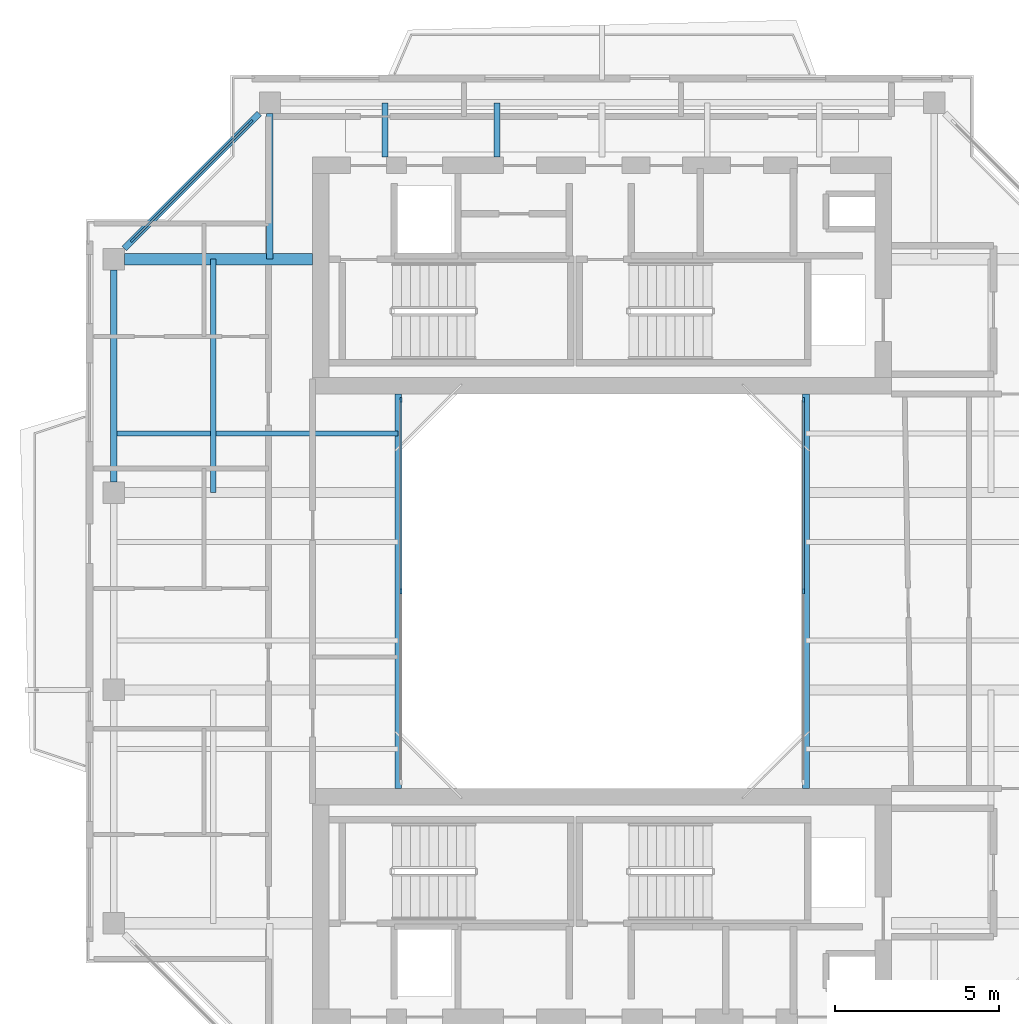
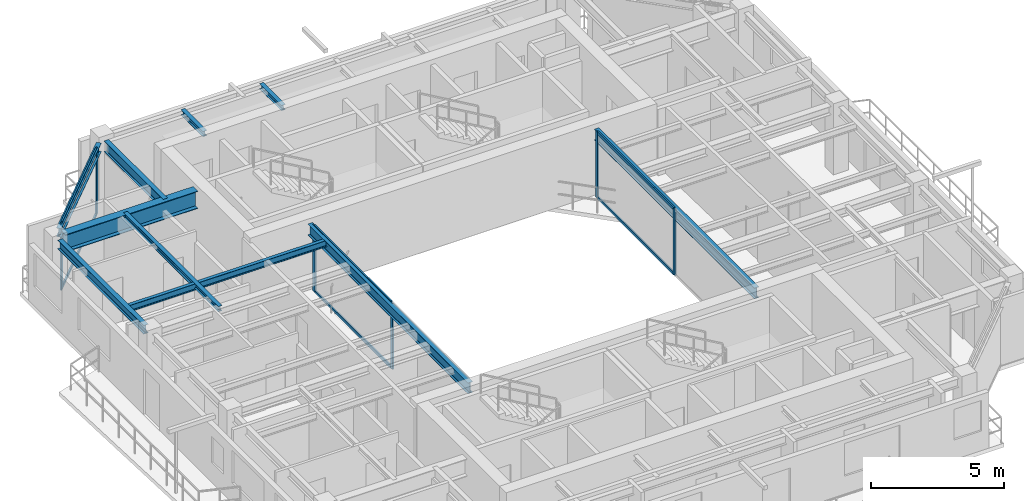
# One storey, part 5 of 14: 12 members, 10 beams, 3 elements without a shape of their own.
"""IFC4 building model written with IfcOpenShell, lengths in metres."""

from ifc_helpers import new_model, si_unit, direction, frame, origin, origin_2d, place, context, subcontext, project, spatial, rectangle, i_section, extrude, source, transform, mapped, material, layer, layer_set, material_profile, profile_set, type_object, element, aggregate, save


model = new_model("IFC4")

# Units and contexts
model_context = context("Model", 3, precision=1e-05, world=origin(), true_north=direction((0.0, 1.0)))
body_context = subcontext(model_context, "Body", "Model", "MODEL_VIEW")
ifc_project = project(units=[si_unit("LENGTHUNIT", "METRE"), si_unit("AREAUNIT", "SQUARE_METRE"), si_unit("VOLUMEUNIT", "CUBIC_METRE"), si_unit("PLANEANGLEUNIT", "RADIAN"), si_unit("MASSUNIT", "GRAM", prefix="KILO"), si_unit("THERMODYNAMICTEMPERATUREUNIT", "KELVIN"), si_unit("POWERUNIT", "WATT")], contexts=[model_context])

# Site, building, storey
site_placement = place(None, origin())
site = spatial("IfcSite", under=ifc_project, at=site_placement, CompositionType="ELEMENT")
building_placement = place(site_placement, origin())
building = spatial("IfcBuilding", under=site, at=building_placement, Name="Qiaomeng Ring Towers", CompositionType="ELEMENT")
storey_placement = place(building_placement, frame((0.0, 0.0, 260.0)))
storey = spatial("IfcBuildingStorey", under=building, at=storey_placement, Name="L76", CompositionType="ELEMENT", Elevation=260.0)

# Beams
ifc_material_1 = material(Name="Steel Q355B", Category="steel")
ifc_material_profile_1 = material_profile(ifc_material_1, i_section(OverallWidth=0.199951171875, OverallDepth=0.5, WebThickness=0.010009765625, FlangeThickness=0.01611328125, FilletRadius=0.02001953125, at=origin_2d()), Name="HN 500x200x10x16")
ifc_profile_set_1 = profile_set([ifc_material_profile_1], Name="Steel Q355B")
beam_type_1 = type_object("IfcBeamType", Name="STR-BM-HN500", PredefinedType="BEAM", material=ifc_profile_set_1)
shared_shape_1 = source(origin(), body_context, "Body", "SweptSolid", [
    extrude(i_section(OverallWidth=0.199951171875, OverallDepth=0.5, WebThickness=0.010009765625, FlangeThickness=0.01611328125, FilletRadius=0.02001953125, at=origin_2d()), origin(), (0.0, 0.0, 1.0), 12.0),
])
for number, where, z_axis, x_axis, name in (
    (1, (12.800048828125, 17.0, 2.780029296875), (0.0, 1.0, 0.0), (-1.0, 0.0, 0.0), "L76 beam STR-BM-L76-WELL-W"),
    (2, (25.199951171875, 17.0, 2.780029296875), (0.0, 1.0, 0.0), (-1.0, 0.0, 0.0), "L76 beam STR-BM-L76-WELL-E"),
):
    element("IfcBeam", number, at=place(storey_placement, frame(where, z_axis=z_axis, x_axis=x_axis)), inside=storey, type_object=beam_type_1, Name=name, PredefinedType="BEAM", context=body_context, shape_type="MappedRepresentation", body=[
        mapped(shared_shape_1, transform((0.0, 0.0, 0.0), x_axis=(1.0, 0.0, 0.0), y_axis=(0.0, 1.0, 0.0), z_axis=(0.0, 0.0, 1.0), scale=1.0)),
    ])
ifc_material_profile_2 = material_profile(ifc_material_1, i_section(OverallWidth=0.198974609375, OverallDepth=0.39599609375, WebThickness=0.007080078125, FlangeThickness=0.010986328125, FilletRadius=0.01611328125, at=origin_2d()), Name="HN 396x199x7x11")
ifc_profile_set_2 = profile_set([ifc_material_profile_2], Name="Steel Q355B")
beam_type_2 = type_object("IfcBeamType", Name="STR-BM-HN396", PredefinedType="SPANDREL", material=ifc_profile_set_2)
shared_shape_2 = source(origin(), body_context, "Body", "SweptSolid", [
    extrude(i_section(OverallWidth=0.198974609375, OverallDepth=0.39599609375, WebThickness=0.007080078125, FlangeThickness=0.010986328125, FilletRadius=0.01611328125, at=origin_2d()), origin(), (0.0, 0.0, 1.0), 5.800048828125),
])
beam_1_placement = place(storey_placement, frame((8.57568359375, 37.525634765625, 2.83203125), z_axis=(-0.707106781187, -0.707106781187, 0.0), x_axis=(0.707106781187, -0.707106781187, 0.0)))
element("IfcBeam", 3, at=beam_1_placement, inside=storey, type_object=beam_type_2, Name="L76 beam STR-SP-L76-T1-N1-W4", PredefinedType="SPANDREL", context=body_context, shape_type="MappedRepresentation", body=[
    mapped(shared_shape_2, transform((0.0, 0.0, 0.0), x_axis=(1.0, 0.0, 0.0), y_axis=(0.0, 1.0, 0.0), z_axis=(0.0, 0.0, 1.0), scale=1.0)),
])
shared_shape_3 = source(origin(), body_context, "Body", "SweptSolid", [
    extrude(i_section(OverallWidth=0.198974609375, OverallDepth=0.39599609375, WebThickness=0.007080078125, FlangeThickness=0.010986328125, FilletRadius=0.01611328125, at=origin_2d()), origin(), (0.0, 0.0, 1.0), 6.451904296875),
])
beam_2_placement = place(storey_placement, frame((4.14990234375, 32.77587890625, 2.83203125), z_axis=(0.0, -1.0, 0.0), x_axis=(1.0, 0.0, 0.0)))
element("IfcBeam", 4, at=beam_2_placement, inside=storey, type_object=beam_type_2, Name="L76 beam STR-SP-L76-T1-W4-W3", PredefinedType="SPANDREL", context=body_context, shape_type="MappedRepresentation", body=[
    mapped(shared_shape_3, transform((0.0, 0.0, 0.0), x_axis=(1.0, 0.0, 0.0), y_axis=(0.0, 1.0, 0.0), z_axis=(0.0, 0.0, 1.0), scale=1.0)),
])
ifc_material_2 = material(Name="Steel Q390GJC", Category="steel")
ifc_material_profile_3 = material_profile(ifc_material_2, i_section(OverallWidth=0.35009765625, OverallDepth=0.800048828125, WebThickness=0.01611328125, FlangeThickness=0.028076171875, at=origin_2d()), Name="WH 800x350x16x28")
ifc_profile_set_3 = profile_set([ifc_material_profile_3], Name="Steel Q390GJC")
beam_type_3 = type_object("IfcBeamType", Name="STR-BM-WH800", PredefinedType="BEAM", material=ifc_profile_set_3)
shared_shape_4 = source(origin(), body_context, "Body", "SweptSolid", [
    extrude(i_section(OverallWidth=0.35009765625, OverallDepth=0.800048828125, WebThickness=0.01611328125, FlangeThickness=0.028076171875, at=origin_2d()), origin(), (0.0, 0.0, 1.0), 5.725830078125),
])
beam_3_placement = place(storey_placement, frame((4.47412109375, 33.10009765625, 2.6298828125), z_axis=(1.0, 0.0, 0.0), x_axis=(0.0, 1.0, 0.0)))
element("IfcBeam", 5, at=beam_3_placement, inside=storey, type_object=beam_type_3, Name="L76 beam STR-BM-L76-T1-RAD-W4", PredefinedType="BEAM", context=body_context, shape_type="MappedRepresentation", body=[
    mapped(shared_shape_4, transform((0.0, 0.0, 0.0), x_axis=(1.0, 0.0, 0.0), y_axis=(0.0, 1.0, 0.0), z_axis=(0.0, 0.0, 1.0), scale=1.0)),
])
ifc_material_profile_4 = material_profile(ifc_material_1, i_section(OverallWidth=0.198974609375, OverallDepth=0.49609375, WebThickness=0.009033203125, FlangeThickness=0.013916015625, FilletRadius=0.01806640625, at=origin_2d()), Name="HN 496x199x9x14")
ifc_profile_set_4 = profile_set([ifc_material_profile_4], Name="Steel Q355B")
beam_type_4 = type_object("IfcBeamType", Name="STR-BM-HN496", PredefinedType="BEAM", material=ifc_profile_set_4)
shared_shape_5 = source(origin(), body_context, "Body", "SweptSolid", [
    extrude(i_section(OverallWidth=0.198974609375, OverallDepth=0.49609375, WebThickness=0.009033203125, FlangeThickness=0.013916015625, FilletRadius=0.01806640625, at=origin_2d()), origin(), (0.0, 0.0, 1.0), 4.42578125),
])
beam_4_placement = place(storey_placement, frame((8.89990234375, 37.52587890625, 2.781982421875), z_axis=(0.0, -1.0, 0.0), x_axis=(1.0, 0.0, 0.0)))
element("IfcBeam", 6, at=beam_4_placement, inside=storey, type_object=beam_type_4, Name="L76 beam STR-BM-L76-T1-RAD-N1", PredefinedType="BEAM", context=body_context, shape_type="MappedRepresentation", body=[
    mapped(shared_shape_5, transform((0.0, 0.0, 0.0), x_axis=(1.0, 0.0, 0.0), y_axis=(0.0, 1.0, 0.0), z_axis=(0.0, 0.0, 1.0), scale=1.0)),
])
ifc_material_profile_5 = material_profile(ifc_material_1, i_section(OverallWidth=0.175048828125, OverallDepth=0.243896484375, WebThickness=0.007080078125, FlangeThickness=0.010986328125, FilletRadius=0.01611328125, at=origin_2d()), Name="HM 244x175x7x11")
ifc_profile_set_5 = profile_set([ifc_material_profile_5], Name="Steel Q355B")
beam_type_5 = type_object("IfcBeamType", Name="STR-BM-HM244", PredefinedType="JOIST", material=ifc_profile_set_5)
shared_shape_6 = source(origin(), body_context, "Body", "SweptSolid", [
    extrude(i_section(OverallWidth=0.175048828125, OverallDepth=0.243896484375, WebThickness=0.007080078125, FlangeThickness=0.010986328125, FilletRadius=0.01611328125, at=origin_2d()), origin(), (0.0, 0.0, 1.0), 1.650146484375),
])
for number, where, z_axis, x_axis, name in (
    (7, (12.39990234375, 36.199951171875, 2.907958984375), (0.0, 1.0, 0.0), (-1.0, 0.0, 0.0), "L76 beam STR-JST-L76-T1N-1"),
    (8, (15.800048828125, 36.199951171875, 2.907958984375), (0.0, 1.0, 0.0), (-1.0, 0.0, 0.0), "L76 beam STR-JST-L76-T1N-2"),
):
    element("IfcBeam", number, at=place(storey_placement, frame(where, z_axis=z_axis, x_axis=x_axis)), inside=storey, type_object=beam_type_5, Name=name, PredefinedType="JOIST", context=body_context, shape_type="MappedRepresentation", body=[
        mapped(shared_shape_6, transform((0.0, 0.0, 0.0), x_axis=(1.0, 0.0, 0.0), y_axis=(0.0, 1.0, 0.0), z_axis=(0.0, 0.0, 1.0), scale=1.0)),
    ])
ifc_material_profile_6 = material_profile(ifc_material_1, i_section(OverallWidth=0.14990234375, OverallDepth=0.300048828125, WebThickness=0.006591796875, FlangeThickness=0.009033203125, FilletRadius=0.012939453125, at=origin_2d()), Name="HN 300x150x6.5x9")
ifc_profile_set_6 = profile_set([ifc_material_profile_6], Name="Steel Q355B")
beam_type_6 = type_object("IfcBeamType", Name="STR-BM-HN300", PredefinedType="JOIST", material=ifc_profile_set_6)
shared_shape_7 = source(origin(), body_context, "Body", "SweptSolid", [
    extrude(i_section(OverallWidth=0.14990234375, OverallDepth=0.300048828125, WebThickness=0.006591796875, FlangeThickness=0.009033203125, FilletRadius=0.012939453125, at=origin_2d()), origin(), (0.0, 0.0, 1.0), 8.650146484375),
])
beam_5_placement = place(storey_placement, frame((4.14990234375, 27.800048828125, 2.8798828125), z_axis=(1.0, 0.0, 0.0), x_axis=(0.0, 1.0, 0.0)))
element("IfcBeam", 9, at=beam_5_placement, inside=storey, type_object=beam_type_6, Name="L76 beam STR-JST-L76-T1W-4", PredefinedType="JOIST", context=body_context, shape_type="MappedRepresentation", body=[
    mapped(shared_shape_7, transform((0.0, 0.0, 0.0), x_axis=(1.0, 0.0, 0.0), y_axis=(0.0, 1.0, 0.0), z_axis=(0.0, 0.0, 1.0), scale=1.0)),
])
shared_shape_8 = source(origin(), body_context, "Body", "SweptSolid", [
    extrude(i_section(OverallWidth=0.175048828125, OverallDepth=0.243896484375, WebThickness=0.007080078125, FlangeThickness=0.010986328125, FilletRadius=0.01611328125, at=origin_2d()), origin(), (0.0, 0.0, 1.0), 7.10009765625),
])
beam_6_placement = place(storey_placement, frame((7.175048828125, 26.0, 2.907958984375), z_axis=(0.0, 1.0, 0.0), x_axis=(-1.0, 0.0, 0.0)))
element("IfcBeam", 10, at=beam_6_placement, inside=storey, type_object=beam_type_5, Name="L76 beam STR-JST-L76-T1C-WN", PredefinedType="JOIST", context=body_context, shape_type="MappedRepresentation", body=[
    mapped(shared_shape_8, transform((0.0, 0.0, 0.0), x_axis=(1.0, 0.0, 0.0), y_axis=(0.0, 1.0, 0.0), z_axis=(0.0, 0.0, 1.0), scale=1.0)),
])

# Curtain wall, members
ifc_material_3 = material(Name="Fluorocarbon dark-grey aluminium", Category="aluminium")
ifc_layer_1 = layer(ifc_material_3, 0.139892578125, Name="Fluorocarbon dark-grey aluminium")
ifc_layer_set_1 = layer_set([ifc_layer_1], Name="Fluorocarbon dark-grey aluminium")
curtain_wall_type_1 = type_object("IfcCurtainWallType", Name="ARC-CW-4", PredefinedType="NOTDEFINED", material=ifc_layer_set_1)
curtain_wall_1_placement = place(storey_placement, origin())
curtain_wall_1 = element("IfcCurtainWall", 11, at=curtain_wall_1_placement, inside=storey, type_object=curtain_wall_type_1, Name="L76 Curtain Wall CW4", PredefinedType="NOTDEFINED")
ifc_material_profile_7 = material_profile(ifc_material_3, rectangle(XDim=0.06494140625, YDim=0.1298828125, at=origin_2d()), Name="ALU TRAN 65x130")
ifc_profile_set_7 = profile_set([ifc_material_profile_7], Name="Fluorocarbon dark-grey aluminium")
member_type_1 = type_object("IfcMemberType", Name="ARC-CWT-120", PredefinedType="USERDEFINED", material=ifc_profile_set_7)
shared_shape_9 = source(origin(), body_context, "Body", "SweptSolid", [
    extrude(rectangle(XDim=0.06494140625, YDim=0.1298828125, at=origin_2d()), origin(), (0.0, 0.0, 1.0), 5.75244140625),
])
member_1_placement = place(storey_placement, frame((12.8798828125, 23.032470703125, 0.032470703125), z_axis=(0.0, 1.0, 0.0), x_axis=(-1.0, 0.0, 0.0)))
member_1 = element("IfcMember", 12, at=member_1_placement, type_object=member_type_1, Name="CW4 transom 2.1", ObjectType="TRANSOM", PredefinedType="USERDEFINED", context=body_context, shape_type="MappedRepresentation", body=[
    mapped(shared_shape_9, transform((0.0, 0.0, 0.0), x_axis=(1.0, 0.0, 0.0), y_axis=(0.0, 1.0, 0.0), z_axis=(0.0, 0.0, 1.0), scale=1.0)),
])
member_2_placement = place(storey_placement, frame((12.8798828125, 23.032470703125, 2.99755859375), z_axis=(0.0, 1.0, 0.0), x_axis=(-1.0, 0.0, 0.0)))
member_2 = element("IfcMember", 13, at=member_2_placement, type_object=member_type_1, Name="CW4 transom 2.2", ObjectType="TRANSOM", PredefinedType="USERDEFINED", context=body_context, shape_type="MappedRepresentation", body=[
    mapped(shared_shape_9, transform((0.0, 0.0, 0.0), x_axis=(1.0, 0.0, 0.0), y_axis=(0.0, 1.0, 0.0), z_axis=(0.0, 0.0, 1.0), scale=1.0)),
])

curtain_wall_2_placement = place(storey_placement, origin())
curtain_wall_2 = element("IfcCurtainWall", 14, at=curtain_wall_2_placement, inside=storey, type_object=curtain_wall_type_1, Name="L76 Curtain Wall CW4", PredefinedType="NOTDEFINED")
member_3_placement = place(storey_placement, frame((25.1201171875, 23.032470703125, 0.032470703125), z_axis=(0.0, 1.0, 0.0), x_axis=(-1.0, 0.0, 0.0)))
member_3 = element("IfcMember", 15, at=member_3_placement, type_object=member_type_1, Name="CW4 transom 2.1", ObjectType="TRANSOM", PredefinedType="USERDEFINED", context=body_context, shape_type="MappedRepresentation", body=[
    mapped(shared_shape_9, transform((0.0, 0.0, 0.0), x_axis=(1.0, 0.0, 0.0), y_axis=(0.0, 1.0, 0.0), z_axis=(0.0, 0.0, 1.0), scale=1.0)),
])
member_4_placement = place(storey_placement, frame((25.1201171875, 23.032470703125, 2.99755859375), z_axis=(0.0, 1.0, 0.0), x_axis=(-1.0, 0.0, 0.0)))
member_4 = element("IfcMember", 16, at=member_4_placement, type_object=member_type_1, Name="CW4 transom 2.2", ObjectType="TRANSOM", PredefinedType="USERDEFINED", context=body_context, shape_type="MappedRepresentation", body=[
    mapped(shared_shape_9, transform((0.0, 0.0, 0.0), x_axis=(1.0, 0.0, 0.0), y_axis=(0.0, 1.0, 0.0), z_axis=(0.0, 0.0, 1.0), scale=1.0)),
])

# Member
ifc_material_profile_8 = material_profile(ifc_material_3, rectangle(XDim=0.06494140625, YDim=0.159912109375, at=origin_2d()), Name="ALU MULL 65x160")
ifc_profile_set_8 = profile_set([ifc_material_profile_8], Name="Fluorocarbon dark-grey aluminium")
member_type_2 = type_object("IfcMemberType", Name="ARC-CWM-140", PredefinedType="MULLION", material=ifc_profile_set_8)
shared_shape_10 = source(origin(), body_context, "Body", "SweptSolid", [
    extrude(rectangle(XDim=0.06494140625, YDim=0.159912109375, at=origin_2d()), origin(), (0.0, 0.0, 1.0), 3.030029296875),
])
member_5_placement = place(storey_placement, frame((12.8798828125, 23.0, 0.0), z_axis=(0.0, 0.0, 1.0), x_axis=(-1.0, 0.0, 0.0)))
member_5 = element("IfcMember", 17, at=member_5_placement, type_object=member_type_2, Name="CW4 mullion 2", PredefinedType="MULLION", context=body_context, shape_type="MappedRepresentation", body=[
    mapped(shared_shape_10, transform((0.0, 0.0, 0.0), x_axis=(1.0, 0.0, 0.0), y_axis=(0.0, 1.0, 0.0), z_axis=(0.0, 0.0, 1.0), scale=1.0)),
])

member_6_placement = place(storey_placement, frame((12.8798828125, 28.8173828125, 0.0), z_axis=(0.0, 0.0, 1.0), x_axis=(-1.0, 0.0, 0.0)))
member_6 = element("IfcMember", 18, at=member_6_placement, type_object=member_type_2, Name="CW4 mullion 3", PredefinedType="MULLION", context=body_context, shape_type="MappedRepresentation", body=[
    mapped(shared_shape_10, transform((0.0, 0.0, 0.0), x_axis=(1.0, 0.0, 0.0), y_axis=(0.0, 1.0, 0.0), z_axis=(0.0, 0.0, 1.0), scale=1.0)),
])

aggregate(curtain_wall_1, [member_5, member_6, member_1, member_2])

member_7_placement = place(storey_placement, frame((25.1201171875, 23.0, 0.0), z_axis=(0.0, 0.0, 1.0), x_axis=(-1.0, 0.0, 0.0)))
member_7 = element("IfcMember", 19, at=member_7_placement, type_object=member_type_2, Name="CW4 mullion 2", PredefinedType="MULLION", context=body_context, shape_type="MappedRepresentation", body=[
    mapped(shared_shape_10, transform((0.0, 0.0, 0.0), x_axis=(1.0, 0.0, 0.0), y_axis=(0.0, 1.0, 0.0), z_axis=(0.0, 0.0, 1.0), scale=1.0)),
])

member_8_placement = place(storey_placement, frame((25.1201171875, 28.8173828125, 0.0), z_axis=(0.0, 0.0, 1.0), x_axis=(-1.0, 0.0, 0.0)))
member_8 = element("IfcMember", 20, at=member_8_placement, type_object=member_type_2, Name="CW4 mullion 3", PredefinedType="MULLION", context=body_context, shape_type="MappedRepresentation", body=[
    mapped(shared_shape_10, transform((0.0, 0.0, 0.0), x_axis=(1.0, 0.0, 0.0), y_axis=(0.0, 1.0, 0.0), z_axis=(0.0, 0.0, 1.0), scale=1.0)),
])

aggregate(curtain_wall_2, [member_7, member_8, member_3, member_4])

# Curtain wall, members
ifc_layer_2 = layer(ifc_material_3, 0.14990234375, Name="Fluorocarbon dark-grey aluminium")
ifc_layer_set_2 = layer_set([ifc_layer_2], Name="Fluorocarbon dark-grey aluminium")
curtain_wall_type_2 = type_object("IfcCurtainWallType", Name="ARC-CW-3", PredefinedType="NOTDEFINED", material=ifc_layer_set_2)
curtain_wall_3_placement = place(storey_placement, origin())
curtain_wall_3 = element("IfcCurtainWall", 21, at=curtain_wall_3_placement, inside=storey, type_object=curtain_wall_type_2, Name="L76 Curtain Wall CW3", PredefinedType="NOTDEFINED")
ifc_material_profile_9 = material_profile(ifc_material_3, rectangle(XDim=0.070068359375, YDim=0.179931640625, at=origin_2d()), Name="ALU MULL 70x180")
ifc_profile_set_9 = profile_set([ifc_material_profile_9], Name="Fluorocarbon dark-grey aluminium")
member_type_3 = type_object("IfcMemberType", Name="ARC-CWM-160", PredefinedType="MULLION", material=ifc_profile_set_9)
shared_shape_11 = source(origin(), body_context, "Body", "SweptSolid", [
    extrude(rectangle(XDim=0.070068359375, YDim=0.179931640625, at=origin_2d()), origin(), (0.0, 0.0, 1.0), 3.030029296875),
])
member_9_placement = place(storey_placement, frame((8.310302734375, 37.26025390625, 0.0), z_axis=(0.0, 0.0, 1.0), x_axis=(0.707106781187, -0.707106781187, 0.0)))
member_9 = element("IfcMember", 22, at=member_9_placement, type_object=member_type_3, Name="CW3 mullion 1", PredefinedType="MULLION", context=body_context, shape_type="MappedRepresentation", body=[
    mapped(shared_shape_11, transform((0.0, 0.0, 0.0), x_axis=(1.0, 0.0, 0.0), y_axis=(0.0, 1.0, 0.0), z_axis=(0.0, 0.0, 1.0), scale=1.0)),
])
member_10_placement = place(storey_placement, frame((4.73974609375, 33.689697265625, 0.0), z_axis=(0.0, 0.0, 1.0), x_axis=(0.707106781187, -0.707106781187, 0.0)))
member_10 = element("IfcMember", 23, at=member_10_placement, type_object=member_type_3, Name="CW3 mullion 2", PredefinedType="MULLION", context=body_context, shape_type="MappedRepresentation", body=[
    mapped(shared_shape_11, transform((0.0, 0.0, 0.0), x_axis=(1.0, 0.0, 0.0), y_axis=(0.0, 1.0, 0.0), z_axis=(0.0, 0.0, 1.0), scale=1.0)),
])
shared_shape_12 = source(origin(), body_context, "Body", "SweptSolid", [
    extrude(rectangle(XDim=0.06494140625, YDim=0.1298828125, at=origin_2d()), origin(), (0.0, 0.0, 1.0), 4.9794921875),
])
member_11_placement = place(storey_placement, frame((8.285400390625, 37.235595703125, 0.032470703125), z_axis=(-0.707106781187, -0.707106781187, 0.0), x_axis=(0.707106781187, -0.707106781187, 0.0)))
member_11 = element("IfcMember", 24, at=member_11_placement, type_object=member_type_1, Name="CW3 transom 1.1", ObjectType="TRANSOM", PredefinedType="USERDEFINED", context=body_context, shape_type="MappedRepresentation", body=[
    mapped(shared_shape_12, transform((0.0, 0.0, 0.0), x_axis=(1.0, 0.0, 0.0), y_axis=(0.0, 1.0, 0.0), z_axis=(0.0, 0.0, 1.0), scale=1.0)),
])
member_12_placement = place(storey_placement, frame((8.285400390625, 37.235595703125, 2.99755859375), z_axis=(-0.707106781187, -0.707106781187, 0.0), x_axis=(0.707106781187, -0.707106781187, 0.0)))
member_12 = element("IfcMember", 25, at=member_12_placement, type_object=member_type_1, Name="CW3 transom 1.2", ObjectType="TRANSOM", PredefinedType="USERDEFINED", context=body_context, shape_type="MappedRepresentation", body=[
    mapped(shared_shape_12, transform((0.0, 0.0, 0.0), x_axis=(1.0, 0.0, 0.0), y_axis=(0.0, 1.0, 0.0), z_axis=(0.0, 0.0, 1.0), scale=1.0)),
])
aggregate(curtain_wall_3, [member_9, member_10, member_11, member_12])

save(model, "model.ifc")
